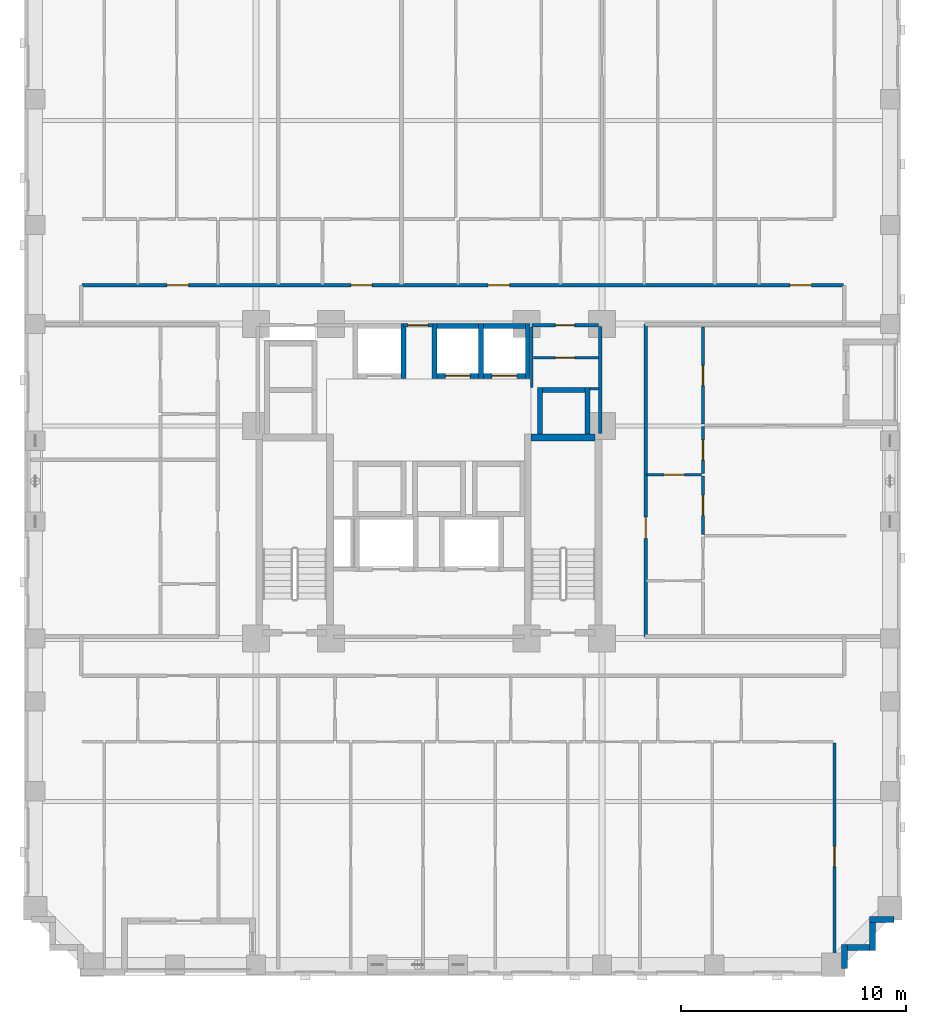
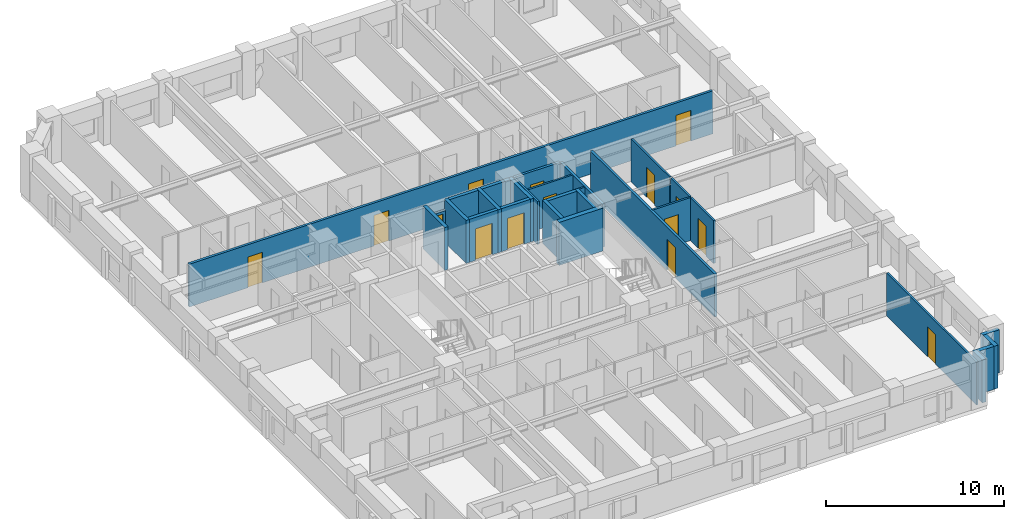
# One storey, part 6 of 14: 29 walls, 15 doors, 15 openings.
"""IFC4 building model written with IfcOpenShell, lengths in metres."""

from ifc_helpers import new_model, si_unit, derived_unit, direction, frame, frame_2d, origin, place, context, subcontext, project, spatial, rectangle, extrude, material, layer, layer_set, type_object, element, fill, save


model = new_model("IFC4")

# Units and contexts
model_context = context("Model", 3, precision=1e-05, world=origin(), true_north=direction((0.0, 1.0)))
body_context = subcontext(model_context, "Body", "Model", "MODEL_VIEW")
ifc_project = project(units=[si_unit("LENGTHUNIT", "METRE"), si_unit("AREAUNIT", "SQUARE_METRE"), si_unit("VOLUMEUNIT", "CUBIC_METRE"), si_unit("PLANEANGLEUNIT", "RADIAN"), si_unit("MASSUNIT", "GRAM", prefix="KILO"), derived_unit("THERMALTRANSMITTANCEUNIT", [(si_unit("MASSUNIT", "GRAM", prefix="KILO"), 1), (si_unit("TIMEUNIT", "SECOND"), -3), (si_unit("THERMODYNAMICTEMPERATUREUNIT", "KELVIN"), -1)])], contexts=[model_context])

# Site, building, storey
site_placement = place(None, origin())
site = spatial("IfcSite", under=ifc_project, at=site_placement, CompositionType="ELEMENT")
building_placement = place(site_placement, origin())
building = spatial("IfcBuilding", under=site, at=building_placement, Name="Korrvale Station Residences", CompositionType="ELEMENT")
storey_placement = place(building_placement, frame((0.0, 0.0, 61.0)))
storey = spatial("IfcBuildingStorey", under=building, at=storey_placement, Name="L16", CompositionType="ELEMENT", Elevation=61.0)

# Walls
ifc_material_1 = material(Name="Concrete C70/85", Category="concrete")
ifc_layer_1 = layer(ifc_material_1, 0.300048828125, Name="Concrete C70/85")
ifc_layer_set_1 = layer_set([ifc_layer_1], Name="Concrete C70/85")
wall_type_1 = type_object("IfcWallType", Name="WAL-CORE-300-C70", PredefinedType="SHEAR", material=ifc_layer_set_1)
wall_1_placement = place(storey_placement, frame((30.050048828125, 23.949951171875, 0.0), z_axis=(0.0, 0.0, 1.0), x_axis=(1.0, 0.0, 0.0)))
element("IfcWall", 1, at=wall_1_placement, inside=storey, type_object=wall_type_1, Name="L16 ST-2 Core Shear Wall North", PredefinedType="SHEAR", context=body_context, shape_type="SweptSolid", body=[
    extrude(rectangle(XDim=2.849853515625, YDim=0.300048828125, at=frame_2d((1.4248046875, 0.0))), origin(), (0.0, 0.0, 1.0), 2.93994140625),
])
ifc_material_2 = material(Name="Precast concrete C45/55", Category="concrete")
ifc_layer_2 = layer(ifc_material_2, 0.260009765625, Name="Precast concrete C45/55")
ifc_layer_set_2 = layer_set([ifc_layer_2], Name="Precast concrete C45/55")
wall_type_2 = type_object("IfcWallType", Name="WAL-EXT-LOG260", PredefinedType="SOLIDWALL", material=ifc_layer_set_2)
wall_2_placement = place(storey_placement, frame((46.197998046875, 2.5, 0.0), z_axis=(0.0, 0.0, 1.0), x_axis=(-1.0, 0.0, 0.0)))
element("IfcWall", 2, at=wall_2_placement, inside=storey, type_object=wall_type_2, Name="L16 Serrated Corner Precast Step SE-1", PredefinedType="SOLIDWALL", context=body_context, shape_type="SweptSolid", body=[
    extrude(rectangle(XDim=1.077880859375, YDim=0.260009765625, at=frame_2d((0.5390625, 0.0))), origin(), (0.0, 0.0, 1.0), 2.93994140625),
])
wall_3_placement = place(storey_placement, frame((45.25, 2.367919921875, 0.0), z_axis=(0.0, 0.0, 1.0), x_axis=(0.0, -1.0, 0.0)))
element("IfcWall", 3, at=wall_3_placement, inside=storey, type_object=wall_type_2, Name="L16 Serrated Corner Precast Step SE-2", PredefinedType="SOLIDWALL", context=body_context, shape_type="SweptSolid", body=[
    extrude(rectangle(XDim=1.247802734375, YDim=0.260009765625, at=frame_2d((0.6240234375, 0.0))), origin(), (0.0, 0.0, 1.0), 2.93994140625),
])
wall_4_placement = place(storey_placement, frame((45.117919921875, 1.25, 0.0), z_axis=(0.0, 0.0, 1.0), x_axis=(-1.0, 0.0, 0.0)))
element("IfcWall", 4, at=wall_4_placement, inside=storey, type_object=wall_type_2, Name="L16 Serrated Corner Precast Step SE-3", PredefinedType="SOLIDWALL", context=body_context, shape_type="SweptSolid", body=[
    extrude(rectangle(XDim=0.98583984375, YDim=0.260009765625, at=frame_2d((0.492919921875, 0.0))), origin(), (0.0, 0.0, 1.0), 2.93994140625),
])
wall_5_placement = place(storey_placement, frame((44.0, 1.3798828125, 0.0), z_axis=(0.0, 0.0, 1.0), x_axis=(0.0, -1.0, 0.0)))
element("IfcWall", 5, at=wall_5_placement, inside=storey, type_object=wall_type_2, Name="L16 Serrated Corner Precast Step SE-4", PredefinedType="SOLIDWALL", context=body_context, shape_type="SweptSolid", body=[
    extrude(rectangle(XDim=1.077880859375, YDim=0.260009765625, at=frame_2d((0.5390625, 0.0))), origin(), (0.0, 0.0, 1.0), 2.93994140625),
])
ifc_material_3 = material(Name="Acoustic steel-stud gypsum board partition", Category="steel")
ifc_layer_3 = layer(ifc_material_3, 0.1201171875, Name="Acoustic steel-stud gypsum board partition")
ifc_layer_set_3 = layer_set([ifc_layer_3], Name="Acoustic steel-stud gypsum board partition")
wall_type_3 = type_object("IfcWallType", Name="WAL-PART-125", PredefinedType="PARTITIONING", material=ifc_layer_set_3)
wall_6_placement = place(storey_placement, frame((30.080078125, 26.179931640625, 0.0), z_axis=(0.0, 0.0, 1.0), x_axis=(0.0, 1.0, 0.0)))
element("IfcWall", 6, at=wall_6_placement, inside=storey, type_object=wall_type_3, Name="L16 Core Partition CW-CS-W", PredefinedType="PARTITIONING", context=body_context, shape_type="SweptSolid", body=[
    extrude(rectangle(XDim=2.68017578125, YDim=0.1201171875, at=frame_2d((1.340087890625, 0.0))), origin(), (0.0, 0.0, 1.0), 2.93994140625),
])
wall_7_placement = place(storey_placement, frame((32.679931640625, 26.1201171875, 0.0), z_axis=(0.0, 0.0, 1.0), x_axis=(1.0, 0.0, 0.0)))
element("IfcWall", 7, at=wall_7_placement, inside=storey, type_object=wall_type_3, Name="L16 Core Partition CW-CS-S", PredefinedType="PARTITIONING", context=body_context, shape_type="SweptSolid", body=[
    extrude(rectangle(XDim=0.380126953125, YDim=0.1201171875, at=frame_2d((0.18994140625, 0.0))), origin(), (0.0, 0.0, 1.0), 2.93994140625),
])

# Wall, opening, door
wall_8_placement = place(storey_placement, frame((30.159912109375, 27.5, 0.0), z_axis=(0.0, 0.0, 1.0), x_axis=(1.0, 0.0, 0.0)))
wall_8 = element("IfcWall", 8, at=wall_8_placement, inside=storey, type_object=wall_type_3, Name="L16 Core Partition CW-CS-H", PredefinedType="PARTITIONING", context=body_context, shape_type="SweptSolid", body=[
    extrude(rectangle(XDim=2.880126953125, YDim=0.1201171875, at=frame_2d((1.43994140625, 0.0))), origin(), (0.0, 0.0, 1.0), 2.93994140625),
])
opening_1_placement = place(wall_8_placement, frame((0.969970703125, 0.0, 0.0)))
opening_1 = element("IfcOpeningElement", 9, at=opening_1_placement, cuts=wall_8, Name="Opening DB-860", PredefinedType="OPENING", context=body_context, shape_type="SweptSolid", body=[
    extrude(rectangle(XDim=0.860107421875, YDim=2.050048828125, at=frame_2d((0.43017578125, 1.02490234375))), frame((0.0, 0.070068359375, 0.0), z_axis=(0.0, -1.0, 0.0), x_axis=(1.0, 0.0, 0.0)), (0.0, 0.0, 1.0), 0.14013671875),
])
ifc_material_4 = material(Name="Moisture-resistant solid-core bathroom door", Category="timber")
door_type_1 = type_object("IfcDoorType", Name="DR-BATH-860", OperationType="NOTDEFINED", PredefinedType="DOOR", material=ifc_material_4)
door_1_placement = place(opening_1_placement, origin())
door_1 = element("IfcDoor", 10, at=door_1_placement, inside=storey, type_object=door_type_1, Name="L16 Mail Sorting Inner Door", OperationType="SINGLE_SWING_LEFT", OverallHeight=2.050048828125, OverallWidth=0.860107421875, PredefinedType="DOOR", context=body_context, shape_type="SweptSolid", body=[
    extrude(rectangle(XDim=0.860107421875, YDim=2.050048828125, at=frame_2d((0.43017578125, 1.02490234375))), frame((0.0, 0.02490234375, 0.0), z_axis=(0.0, -1.0, 0.0), x_axis=(1.0, 0.0, 0.0)), (0.0, 0.0, 1.0), 0.050048828125),
])
fill(opening_1, door_1)

wall_9_placement = place(storey_placement, frame((43.550048828125, 0.280029296875, 0.0), z_axis=(0.0, 0.0, 1.0), x_axis=(0.0, 1.0, 0.0)))
wall_9 = element("IfcWall", 11, at=wall_9_placement, inside=storey, type_object=wall_type_3, Name="L16 Suite Partition U02-V1314", PredefinedType="PARTITIONING", context=body_context, shape_type="SweptSolid", body=[
    extrude(rectangle(XDim=10.06005859375, YDim=0.1201171875, at=frame_2d((5.030029296875, 0.0))), origin(), (0.0, 0.0, 1.0), 2.93994140625),
])
opening_2_placement = place(wall_9_placement, frame((4.56494140625, 0.0, 0.0)))
opening_2 = element("IfcOpeningElement", 12, at=opening_2_placement, cuts=wall_9, Name="Opening DI-900", PredefinedType="OPENING", context=body_context, shape_type="SweptSolid", body=[
    extrude(rectangle(XDim=0.89990234375, YDim=2.050048828125, at=frame_2d((0.449951171875, 1.02490234375))), frame((0.0, 0.070068359375, 0.0), z_axis=(0.0, -1.0, 0.0), x_axis=(1.0, 0.0, 0.0)), (0.0, 0.0, 1.0), 0.14013671875),
])
ifc_material_5 = material(Name="Painted solid-core timber interior room door", Category="wood")
door_type_2 = type_object("IfcDoorType", Name="DR-INT-900", OperationType="NOTDEFINED", PredefinedType="DOOR", material=ifc_material_5)
door_2_placement = place(opening_2_placement, origin())
door_2 = element("IfcDoor", 13, at=door_2_placement, inside=storey, type_object=door_type_2, Name="L16 Studio Apartment L16-U02 Studio Living Room Door", OperationType="SINGLE_SWING_RIGHT", OverallHeight=2.050048828125, OverallWidth=0.89990234375, PredefinedType="DOOR", context=body_context, shape_type="SweptSolid", body=[
    extrude(rectangle(XDim=0.89990234375, YDim=2.050048828125, at=frame_2d((0.449951171875, 1.02490234375))), frame((0.0, 0.02490234375, 0.0), z_axis=(0.0, -1.0, 0.0), x_axis=(1.0, 0.0, 0.0)), (0.0, 0.0, 1.0), 0.050048828125),
])
fill(opening_2, door_2)

wall_10_placement = place(storey_placement, frame((35.18994140625, 22.2900390625, 0.0), z_axis=(0.0, 0.0, 1.0), x_axis=(1.0, 0.0, 0.0)))
wall_10 = element("IfcWall", 14, at=wall_10_placement, inside=storey, type_object=wall_type_3, Name="L16 Suite Partition U09-H02", PredefinedType="PARTITIONING", context=body_context, shape_type="SweptSolid", body=[
    extrude(rectangle(XDim=2.449951171875, YDim=0.1201171875, at=frame_2d((1.22509765625, 0.0))), origin(), (0.0, 0.0, 1.0), 2.93994140625),
])
opening_3_placement = place(wall_10_placement, frame((0.77490234375, 0.0, 0.0)))
opening_3 = element("IfcOpeningElement", 15, at=opening_3_placement, cuts=wall_10, Name="Opening DI-900", PredefinedType="OPENING", context=body_context, shape_type="SweptSolid", body=[
    extrude(rectangle(XDim=0.89990234375, YDim=2.050048828125, at=frame_2d((0.449951171875, 1.02490234375))), frame((0.0, 0.070068359375, 0.0), z_axis=(0.0, -1.0, 0.0), x_axis=(1.0, 0.0, 0.0)), (0.0, 0.0, 1.0), 0.14013671875),
])
door_3_placement = place(opening_3_placement, origin())
door_3 = element("IfcDoor", 16, at=door_3_placement, inside=storey, type_object=door_type_2, Name="L16 Apartment 2BR L16-U09 Wardrobe Storage Room Door", OperationType="SINGLE_SWING_RIGHT", OverallHeight=2.050048828125, OverallWidth=0.89990234375, PredefinedType="DOOR", context=body_context, shape_type="SweptSolid", body=[
    extrude(rectangle(XDim=0.89990234375, YDim=2.050048828125, at=frame_2d((0.449951171875, 1.02490234375))), frame((0.0, 0.02490234375, 0.0), z_axis=(0.0, -1.0, 0.0), x_axis=(1.0, 0.0, 0.0)), (0.0, 0.0, 1.0), 0.050048828125),
])
fill(opening_3, door_3)

wall_11_placement = place(storey_placement, frame((37.699951171875, 22.35009765625, 0.0), z_axis=(0.0, 0.0, 1.0), x_axis=(0.0, 1.0, 0.0)))
wall_11 = element("IfcWall", 17, at=wall_11_placement, inside=storey, type_object=wall_type_3, Name="L16 Suite Partition U09-V04", PredefinedType="PARTITIONING", context=body_context, shape_type="SweptSolid", body=[
    extrude(rectangle(XDim=2.081787109375, YDim=0.1201171875, at=frame_2d((1.041015625, 0.0))), origin(), (0.0, 0.0, 1.0), 2.93994140625),
])
opening_4_placement = place(wall_11_placement, frame((0.591064453125, 0.0, 0.0)))
opening_4 = element("IfcOpeningElement", 18, at=opening_4_placement, cuts=wall_11, Name="Opening DI-900", PredefinedType="OPENING", context=body_context, shape_type="SweptSolid", body=[
    extrude(rectangle(XDim=0.89990234375, YDim=2.050048828125, at=frame_2d((0.449951171875, 1.02490234375))), frame((0.0, 0.070068359375, 0.0), z_axis=(0.0, -1.0, 0.0), x_axis=(1.0, 0.0, 0.0)), (0.0, 0.0, 1.0), 0.14013671875),
])
door_4_placement = place(opening_4_placement, origin())
door_4 = element("IfcDoor", 19, at=door_4_placement, inside=storey, type_object=door_type_2, Name="L16 Apartment 2BR L16-U09 Wardrobe Storage Room Door", OperationType="SINGLE_SWING_LEFT", OverallHeight=2.050048828125, OverallWidth=0.89990234375, PredefinedType="DOOR", context=body_context, shape_type="SweptSolid", body=[
    extrude(rectangle(XDim=0.89990234375, YDim=2.050048828125, at=frame_2d((0.449951171875, 1.02490234375))), frame((0.0, 0.02490234375, 0.0), z_axis=(0.0, -1.0, 0.0), x_axis=(1.0, 0.0, 0.0)), (0.0, 0.0, 1.0), 0.050048828125),
])
fill(opening_4, door_4)

wall_12_placement = place(storey_placement, frame((37.699951171875, 24.552001953125, 0.0), z_axis=(0.0, 0.0, 1.0), x_axis=(0.0, 1.0, 0.0)))
wall_12 = element("IfcWall", 20, at=wall_12_placement, inside=storey, type_object=wall_type_3, Name="L16 Suite Partition U09-V05", PredefinedType="PARTITIONING", context=body_context, shape_type="SweptSolid", body=[
    extrude(rectangle(XDim=4.30810546875, YDim=0.1201171875, at=frame_2d((2.154052734375, 0.0))), origin(), (0.0, 0.0, 1.0), 2.93994140625),
])
opening_5_placement = place(wall_12_placement, frame((1.7041015625, 0.0, 0.0)))
opening_5 = element("IfcOpeningElement", 21, at=opening_5_placement, cuts=wall_12, Name="Opening DI-900", PredefinedType="OPENING", context=body_context, shape_type="SweptSolid", body=[
    extrude(rectangle(XDim=0.89990234375, YDim=2.050048828125, at=frame_2d((0.449951171875, 1.02490234375))), frame((0.0, 0.070068359375, 0.0), z_axis=(0.0, -1.0, 0.0), x_axis=(1.0, 0.0, 0.0)), (0.0, 0.0, 1.0), 0.14013671875),
])
door_5_placement = place(opening_5_placement, origin())
door_5 = element("IfcDoor", 22, at=door_5_placement, inside=storey, type_object=door_type_2, Name="L16 Apartment 2BR L16-U09 Wardrobe Storage Room Door", OperationType="SINGLE_SWING_RIGHT", OverallHeight=2.050048828125, OverallWidth=0.89990234375, PredefinedType="DOOR", context=body_context, shape_type="SweptSolid", body=[
    extrude(rectangle(XDim=0.89990234375, YDim=2.050048828125, at=frame_2d((0.449951171875, 1.02490234375))), frame((0.0, 0.02490234375, 0.0), z_axis=(0.0, -1.0, 0.0), x_axis=(1.0, 0.0, 0.0)), (0.0, 0.0, 1.0), 0.050048828125),
])
fill(opening_5, door_5)

wall_13_placement = place(storey_placement, frame((37.699951171875, 19.637939453125, 0.0), z_axis=(0.0, 0.0, 1.0), x_axis=(0.0, 1.0, 0.0)))
wall_13 = element("IfcWall", 23, at=wall_13_placement, inside=storey, type_object=wall_type_3, Name="L16 Suite Partition U09-V24", PredefinedType="PARTITIONING", context=body_context, shape_type="SweptSolid", body=[
    extrude(rectangle(XDim=2.592041015625, YDim=0.1201171875, at=frame_2d((1.2958984375, 0.0))), origin(), (0.0, 0.0, 1.0), 2.93994140625),
])
opening_6_placement = place(wall_13_placement, frame((0.845947265625, 0.0, 0.0)))
opening_6 = element("IfcOpeningElement", 24, at=opening_6_placement, cuts=wall_13, Name="Opening DI-900", PredefinedType="OPENING", context=body_context, shape_type="SweptSolid", body=[
    extrude(rectangle(XDim=0.89990234375, YDim=2.050048828125, at=frame_2d((0.449951171875, 1.02490234375))), frame((0.0, 0.070068359375, 0.0), z_axis=(0.0, -1.0, 0.0), x_axis=(1.0, 0.0, 0.0)), (0.0, 0.0, 1.0), 0.14013671875),
])
door_6_placement = place(opening_6_placement, origin())
door_6 = element("IfcDoor", 25, at=door_6_placement, inside=storey, type_object=door_type_2, Name="L16 Apartment 2BR L16-U09 Kitchen Door", OperationType="SINGLE_SWING_LEFT", OverallHeight=2.050048828125, OverallWidth=0.89990234375, PredefinedType="DOOR", context=body_context, shape_type="SweptSolid", body=[
    extrude(rectangle(XDim=0.89990234375, YDim=2.050048828125, at=frame_2d((0.449951171875, 1.02490234375))), frame((0.0, 0.02490234375, 0.0), z_axis=(0.0, -1.0, 0.0), x_axis=(1.0, 0.0, 0.0)), (0.0, 0.0, 1.0), 0.050048828125),
])
fill(opening_6, door_6)

# Wall
ifc_material_6 = material(Name="Fire-rated twin-stud gypsum and mineral wool shaftwall assembly", Category="gypsum")
ifc_layer_4 = layer(ifc_material_6, 0.159912109375, Name="Fire-rated twin-stud gypsum and mineral wool shaftwall assembly")
ifc_layer_set_4 = layer_set([ifc_layer_4], Name="Fire-rated twin-stud gypsum and mineral wool shaftwall assembly")
wall_type_4 = type_object("IfcWallType", Name="WAL-PART-200", PredefinedType="PARTITIONING", material=ifc_layer_set_4)
wall_14_placement = place(storey_placement, frame((33.1201171875, 24.1201171875, 0.0), z_axis=(0.0, 0.0, 1.0), x_axis=(0.0, 1.0, 0.0)))
element("IfcWall", 26, at=wall_14_placement, inside=storey, type_object=wall_type_4, Name="L16 Core Partition CW-E-N", PredefinedType="PARTITIONING", context=body_context, shape_type="SweptSolid", body=[
    extrude(rectangle(XDim=4.759765625, YDim=0.159912109375, at=frame_2d((2.3798828125, 0.0))), origin(), (0.0, 0.0, 1.0), 2.93994140625),
])

# Wall, opening, door
wall_15_placement = place(storey_placement, frame((24.360107421875, 28.949951171875, 0.0), z_axis=(0.0, 0.0, 1.0), x_axis=(1.0, 0.0, 0.0)))
wall_15 = element("IfcWall", 27, at=wall_15_placement, inside=storey, type_object=wall_type_4, Name="L16 Core Partition CW-LLOB-N", PredefinedType="PARTITIONING", context=body_context, shape_type="SweptSolid", body=[
    extrude(rectangle(XDim=1.31982421875, YDim=0.159912109375, at=frame_2d((0.659912109375, 0.0))), origin(), (0.0, 0.0, 1.0), 2.23193359375),
])
opening_7_placement = place(wall_15_placement, frame((0.2099609375, 0.0, 0.0)))
opening_7 = element("IfcOpeningElement", 28, at=opening_7_placement, cuts=wall_15, Name="Opening DI-900", PredefinedType="OPENING", context=body_context, shape_type="SweptSolid", body=[
    extrude(rectangle(XDim=0.89990234375, YDim=2.050048828125, at=frame_2d((0.449951171875, 1.02490234375))), frame((0.0, 0.08984375, 0.0), z_axis=(0.0, -1.0, 0.0), x_axis=(1.0, 0.0, 0.0)), (0.0, 0.0, 1.0), 0.179931640625),
])
door_7_placement = place(opening_7_placement, origin())
door_7 = element("IfcDoor", 29, at=door_7_placement, inside=storey, type_object=door_type_2, Name="L16 Central Hallway North Passage Door", OperationType="SINGLE_SWING_LEFT", OverallHeight=2.050048828125, OverallWidth=0.89990234375, PredefinedType="DOOR", context=body_context, shape_type="SweptSolid", body=[
    extrude(rectangle(XDim=0.89990234375, YDim=2.050048828125, at=frame_2d((0.449951171875, 1.02490234375))), frame((0.0, 0.02490234375, 0.0), z_axis=(0.0, -1.0, 0.0), x_axis=(1.0, 0.0, 0.0)), (0.0, 0.0, 1.0), 0.050048828125),
])
fill(opening_7, door_7)

wall_16_placement = place(storey_placement, frame((30.080078125, 28.949951171875, 0.0), z_axis=(0.0, 0.0, 1.0), x_axis=(1.0, 0.0, 0.0)))
wall_16 = element("IfcWall", 30, at=wall_16_placement, inside=storey, type_object=wall_type_4, Name="L16 Core Partition CW-CS-N", PredefinedType="PARTITIONING", context=body_context, shape_type="SweptSolid", body=[
    extrude(rectangle(XDim=2.9599609375, YDim=0.159912109375, at=frame_2d((1.47998046875, 0.0))), origin(), (0.0, 0.0, 1.0), 2.93994140625),
])
opening_8_placement = place(wall_16_placement, frame((1.044921875, 0.0, 0.0)))
opening_8 = element("IfcOpeningElement", 31, at=opening_8_placement, cuts=wall_16, Name="Opening DB-860", PredefinedType="OPENING", context=body_context, shape_type="SweptSolid", body=[
    extrude(rectangle(XDim=0.860107421875, YDim=2.050048828125, at=frame_2d((0.43017578125, 1.02490234375))), frame((0.0, 0.08984375, 0.0), z_axis=(0.0, -1.0, 0.0), x_axis=(1.0, 0.0, 0.0)), (0.0, 0.0, 1.0), 0.179931640625),
])
door_8_placement = place(opening_8_placement, origin())
door_8 = element("IfcDoor", 32, at=door_8_placement, inside=storey, type_object=door_type_1, Name="L16 Housekeeping Pantry Door", OperationType="SINGLE_SWING_RIGHT", OverallHeight=2.050048828125, OverallWidth=0.860107421875, PredefinedType="DOOR", context=body_context, shape_type="SweptSolid", body=[
    extrude(rectangle(XDim=0.860107421875, YDim=2.050048828125, at=frame_2d((0.43017578125, 1.02490234375))), frame((0.0, 0.02490234375, 0.0), z_axis=(0.0, -1.0, 0.0), x_axis=(1.0, 0.0, 0.0)), (0.0, 0.0, 1.0), 0.050048828125),
])
fill(opening_8, door_8)

# Wall, openings, doors
wall_17_placement = place(storey_placement, frame((10.050048828125, 30.719970703125, 0.0), z_axis=(0.0, 0.0, 1.0), x_axis=(1.0, 0.0, 0.0)))
wall_17 = element("IfcWall", 33, at=wall_17_placement, inside=storey, type_object=wall_type_4, Name="L16 Rated Corridor Wall N", PredefinedType="PARTITIONING", context=body_context, shape_type="SweptSolid", body=[
    extrude(rectangle(XDim=33.89990234375, YDim=0.159912109375, at=frame_2d((16.949951171875, 0.0))), origin(), (0.0, 0.0, 1.0), 2.93994140625),
])
opening_9_placement = place(wall_17_placement, frame((3.800048828125, 0.0, 0.0)))
opening_9 = element("IfcOpeningElement", 34, at=opening_9_placement, cuts=wall_17, Name="Opening UD-950", PredefinedType="OPENING", context=body_context, shape_type="SweptSolid", body=[
    extrude(rectangle(XDim=0.949951171875, YDim=2.10009765625, at=frame_2d((0.47509765625, 1.050048828125))), frame((0.0, 0.08984375, 0.0), z_axis=(0.0, -1.0, 0.0), x_axis=(1.0, 0.0, 0.0)), (0.0, 0.0, 1.0), 0.179931640625),
])
opening_10_placement = place(wall_17_placement, frame((11.97705078125, 0.0, 0.0)))
opening_10 = element("IfcOpeningElement", 35, at=opening_10_placement, cuts=wall_17, Name="Opening UD-950", PredefinedType="OPENING", context=body_context, shape_type="SweptSolid", body=[
    extrude(rectangle(XDim=0.949951171875, YDim=2.10009765625, at=frame_2d((0.47509765625, 1.050048828125))), frame((0.0, 0.08984375, 0.0), z_axis=(0.0, -1.0, 0.0), x_axis=(1.0, 0.0, 0.0)), (0.0, 0.0, 1.0), 0.179931640625),
])
opening_11_placement = place(wall_17_placement, frame((18.090087890625, 0.0, 0.0)))
opening_11 = element("IfcOpeningElement", 36, at=opening_11_placement, cuts=wall_17, Name="Opening UD-950", PredefinedType="OPENING", context=body_context, shape_type="SweptSolid", body=[
    extrude(rectangle(XDim=0.949951171875, YDim=2.10009765625, at=frame_2d((0.47509765625, 1.050048828125))), frame((0.0, 0.08984375, 0.0), z_axis=(0.0, -1.0, 0.0), x_axis=(1.0, 0.0, 0.0)), (0.0, 0.0, 1.0), 0.179931640625),
])
opening_12_placement = place(wall_17_placement, frame((31.52490234375, 0.0, 0.0)))
opening_12 = element("IfcOpeningElement", 37, at=opening_12_placement, cuts=wall_17, Name="Opening UD-950", PredefinedType="OPENING", context=body_context, shape_type="SweptSolid", body=[
    extrude(rectangle(XDim=0.949951171875, YDim=2.10009765625, at=frame_2d((0.47509765625, 1.050048828125))), frame((0.0, 0.08984375, 0.0), z_axis=(0.0, -1.0, 0.0), x_axis=(1.0, 0.0, 0.0)), (0.0, 0.0, 1.0), 0.179931640625),
])
ifc_material_7 = material(Name="Solid-core acoustic oak apartment entrance door", Category="timber")
door_type_3 = type_object("IfcDoorType", Name="DR-UNIT-950", OperationType="NOTDEFINED", PredefinedType="DOOR", material=ifc_material_7)
door_9_placement = place(opening_9_placement, origin())
door_9 = element("IfcDoor", 38, at=door_9_placement, inside=storey, type_object=door_type_3, Name="L16 Apartment L16-U03 Entrance Door", OperationType="SINGLE_SWING_RIGHT", OverallHeight=2.10009765625, OverallWidth=0.949951171875, PredefinedType="DOOR", context=body_context, shape_type="SweptSolid", body=[
    extrude(rectangle(XDim=0.949951171875, YDim=2.10009765625, at=frame_2d((0.47509765625, 1.050048828125))), frame((0.0, 0.02490234375, 0.0), z_axis=(0.0, -1.0, 0.0), x_axis=(1.0, 0.0, 0.0)), (0.0, 0.0, 1.0), 0.050048828125),
])
fill(opening_9, door_9)
door_10_placement = place(opening_10_placement, origin())
door_10 = element("IfcDoor", 39, at=door_10_placement, inside=storey, type_object=door_type_3, Name="L16 Apartment L16-U04 Entrance Door", OperationType="SINGLE_SWING_LEFT", OverallHeight=2.10009765625, OverallWidth=0.949951171875, PredefinedType="DOOR", context=body_context, shape_type="SweptSolid", body=[
    extrude(rectangle(XDim=0.949951171875, YDim=2.10009765625, at=frame_2d((0.47509765625, 1.050048828125))), frame((0.0, 0.02490234375, 0.0), z_axis=(0.0, -1.0, 0.0), x_axis=(1.0, 0.0, 0.0)), (0.0, 0.0, 1.0), 0.050048828125),
])
fill(opening_10, door_10)
door_11_placement = place(opening_11_placement, origin())
door_11 = element("IfcDoor", 40, at=door_11_placement, inside=storey, type_object=door_type_3, Name="L16 Apartment L16-U05 Entrance Door", OperationType="SINGLE_SWING_RIGHT", OverallHeight=2.10009765625, OverallWidth=0.949951171875, PredefinedType="DOOR", context=body_context, shape_type="SweptSolid", body=[
    extrude(rectangle(XDim=0.949951171875, YDim=2.10009765625, at=frame_2d((0.47509765625, 1.050048828125))), frame((0.0, 0.02490234375, 0.0), z_axis=(0.0, -1.0, 0.0), x_axis=(1.0, 0.0, 0.0)), (0.0, 0.0, 1.0), 0.050048828125),
])
fill(opening_11, door_11)
door_12_placement = place(opening_12_placement, origin())
door_12 = element("IfcDoor", 41, at=door_12_placement, inside=storey, type_object=door_type_3, Name="L16 Apartment L16-U06 Entrance Door", OperationType="SINGLE_SWING_LEFT", OverallHeight=2.10009765625, OverallWidth=0.949951171875, PredefinedType="DOOR", context=body_context, shape_type="SweptSolid", body=[
    extrude(rectangle(XDim=0.949951171875, YDim=2.10009765625, at=frame_2d((0.47509765625, 1.050048828125))), frame((0.0, 0.02490234375, 0.0), z_axis=(0.0, -1.0, 0.0), x_axis=(1.0, 0.0, 0.0)), (0.0, 0.0, 1.0), 0.050048828125),
])
fill(opening_12, door_12)

# Wall, opening, door
wall_18_placement = place(storey_placement, frame((35.14990234375, 15.070068359375, 0.0), z_axis=(0.0, 0.0, 1.0), x_axis=(0.0, 1.0, 0.0)))
wall_18 = element("IfcWall", 42, at=wall_18_placement, inside=storey, type_object=wall_type_4, Name="L16 Rated Corridor Wall E", PredefinedType="PARTITIONING", context=body_context, shape_type="SweptSolid", body=[
    extrude(rectangle(XDim=13.929931640625, YDim=0.159912109375, at=frame_2d((6.96484375, 0.0))), origin(), (0.0, 0.0, 1.0), 2.93994140625),
])
opening_13_placement = place(wall_18_placement, frame((4.385009765625, 0.0, 0.0)))
opening_13 = element("IfcOpeningElement", 43, at=opening_13_placement, cuts=wall_18, Name="Opening UD-950", PredefinedType="OPENING", context=body_context, shape_type="SweptSolid", body=[
    extrude(rectangle(XDim=0.949951171875, YDim=2.10009765625, at=frame_2d((0.47509765625, 1.050048828125))), frame((0.0, 0.08984375, 0.0), z_axis=(0.0, -1.0, 0.0), x_axis=(1.0, 0.0, 0.0)), (0.0, 0.0, 1.0), 0.179931640625),
])
door_13_placement = place(opening_13_placement, origin())
door_13 = element("IfcDoor", 44, at=door_13_placement, inside=storey, type_object=door_type_3, Name="L16 Apartment L16-U09 Entrance Door", OperationType="SINGLE_SWING_RIGHT", OverallHeight=2.10009765625, OverallWidth=0.949951171875, PredefinedType="DOOR", context=body_context, shape_type="SweptSolid", body=[
    extrude(rectangle(XDim=0.949951171875, YDim=2.10009765625, at=frame_2d((0.47509765625, 1.050048828125))), frame((0.0, 0.02490234375, 0.0), z_axis=(0.0, -1.0, 0.0), x_axis=(1.0, 0.0, 0.0)), (0.0, 0.0, 1.0), 0.050048828125),
])
fill(opening_13, door_13)

# Wall
ifc_layer_5 = layer(ifc_material_1, 0.219970703125, Name="Concrete C70/85")
ifc_layer_set_5 = layer_set([ifc_layer_5], Name="Concrete C70/85")
wall_type_5 = type_object("IfcWallType", Name="WAL-SHAFT-220-C70", PredefinedType="SHEAR", material=ifc_layer_set_5)
wall_19_placement = place(storey_placement, frame((24.360107421875, 26.580078125, 0.0), z_axis=(0.0, 0.0, 1.0), x_axis=(0.0, 1.0, 0.0)))
element("IfcWall", 45, at=wall_19_placement, inside=storey, type_object=wall_type_5, Name="L16 Elevator PL-1 Hoistway Wall East", PredefinedType="SHEAR", context=body_context, shape_type="SweptSolid", body=[
    extrude(rectangle(XDim=2.43994140625, YDim=0.219970703125, at=frame_2d((1.219970703125, 0.0))), origin(), (0.0, 0.0, 1.0), 2.93994140625),
])

# Wall, opening, door
wall_20_placement = place(storey_placement, frame((25.85009765625, 26.68994140625, 0.0), z_axis=(0.0, 0.0, 1.0), x_axis=(1.0, 0.0, 0.0)))
wall_20 = element("IfcWall", 46, at=wall_20_placement, inside=storey, type_object=wall_type_5, Name="L16 Elevator PL-2 Hoistway Wall South", PredefinedType="SHEAR", context=body_context, shape_type="SweptSolid", body=[
    extrude(rectangle(XDim=1.85986328125, YDim=0.219970703125, at=frame_2d((0.929931640625, 0.0))), origin(), (0.0, 0.0, 1.0), 2.93994140625),
])
opening_14_placement = place(wall_20_placement, frame((0.3798828125, 0.0, 0.0)))
opening_14 = element("IfcOpeningElement", 47, at=opening_14_placement, cuts=wall_20, Name="Opening LD-1100", PredefinedType="OPENING", context=body_context, shape_type="SweptSolid", body=[
    extrude(rectangle(XDim=1.10009765625, YDim=2.14990234375, at=frame_2d((0.550048828125, 1.074951171875))), frame((0.0, 0.1201171875, 0.0), z_axis=(0.0, -1.0, 0.0), x_axis=(1.0, 0.0, 0.0)), (0.0, 0.0, 1.0), 0.239990234375),
])
ifc_material_8 = material(Name="Brushed stainless-steel elevator landing sliding door", Category="steel")
door_type_4 = type_object("IfcDoorType", Name="DR-LIFT-1100", OperationType="SLIDING_TO_LEFT", PredefinedType="DOOR", material=ifc_material_8)
door_14_placement = place(opening_14_placement, origin())
door_14 = element("IfcDoor", 48, at=door_14_placement, inside=storey, type_object=door_type_4, Name="L16 Elevator PL-2 Sliding Landing Door", OperationType="SLIDING_TO_LEFT", OverallHeight=2.14990234375, OverallWidth=1.10009765625, PredefinedType="DOOR", context=body_context, shape_type="SweptSolid", body=[
    extrude(rectangle(XDim=1.10009765625, YDim=2.14990234375, at=frame_2d((0.550048828125, 1.074951171875))), frame((0.0, 0.02490234375, 0.0), z_axis=(0.0, -1.0, 0.0), x_axis=(1.0, 0.0, 0.0)), (0.0, 0.0, 1.0), 0.050048828125),
])
fill(opening_14, door_14)

# Walls
wall_21_placement = place(storey_placement, frame((25.85009765625, 28.909912109375, 0.0), z_axis=(0.0, 0.0, 1.0), x_axis=(1.0, 0.0, 0.0)))
element("IfcWall", 49, at=wall_21_placement, inside=storey, type_object=wall_type_5, Name="L16 Elevator PL-2 Hoistway Wall North", PredefinedType="SHEAR", context=body_context, shape_type="SweptSolid", body=[
    extrude(rectangle(XDim=1.85986328125, YDim=0.219970703125, at=frame_2d((0.929931640625, 0.0))), origin(), (0.0, 0.0, 1.0), 2.93994140625),
])
for number, where, z_axis, x_axis, name in (
    (50, (25.739990234375, 26.580078125, 0.0), (0.0, 0.0, 1.0), (0.0, 1.0, 0.0), "L16 Elevator PL-2 Hoistway Wall West"),
    (51, (27.820068359375, 26.580078125, 0.0), (0.0, 0.0, 1.0), (0.0, 1.0, 0.0), "L16 Elevator PL-2 Hoistway Wall East"),
):
    element("IfcWall", number, at=place(storey_placement, frame(where, z_axis=z_axis, x_axis=x_axis)), inside=storey, type_object=wall_type_5, Name=name, PredefinedType="SHEAR", context=body_context, shape_type="SweptSolid", body=[
        extrude(rectangle(XDim=2.43994140625, YDim=0.219970703125, at=frame_2d((1.219970703125, 0.0))), origin(), (0.0, 0.0, 1.0), 2.93994140625),
    ])

# Wall, opening, door
wall_22_placement = place(storey_placement, frame((27.929931640625, 26.68994140625, 0.0), z_axis=(0.0, 0.0, 1.0), x_axis=(1.0, 0.0, 0.0)))
wall_22 = element("IfcWall", 52, at=wall_22_placement, inside=storey, type_object=wall_type_5, Name="L16 Elevator PL-3 Hoistway Wall South", PredefinedType="SHEAR", context=body_context, shape_type="SweptSolid", body=[
    extrude(rectangle(XDim=1.860107421875, YDim=0.219970703125, at=frame_2d((0.93017578125, 0.0))), origin(), (0.0, 0.0, 1.0), 2.93994140625),
])
opening_15_placement = place(wall_22_placement, frame((0.3798828125, 0.0, 0.0)))
opening_15 = element("IfcOpeningElement", 53, at=opening_15_placement, cuts=wall_22, Name="Opening LD-1100", PredefinedType="OPENING", context=body_context, shape_type="SweptSolid", body=[
    extrude(rectangle(XDim=1.10009765625, YDim=2.14990234375, at=frame_2d((0.550048828125, 1.074951171875))), frame((0.0, 0.1201171875, 0.0), z_axis=(0.0, -1.0, 0.0), x_axis=(1.0, 0.0, 0.0)), (0.0, 0.0, 1.0), 0.239990234375),
])
door_15_placement = place(opening_15_placement, origin())
door_15 = element("IfcDoor", 54, at=door_15_placement, inside=storey, type_object=door_type_4, Name="L16 Elevator PL-3 Sliding Landing Door", OperationType="SLIDING_TO_LEFT", OverallHeight=2.14990234375, OverallWidth=1.10009765625, PredefinedType="DOOR", context=body_context, shape_type="SweptSolid", body=[
    extrude(rectangle(XDim=1.10009765625, YDim=2.14990234375, at=frame_2d((0.550048828125, 1.074951171875))), frame((0.0, 0.02490234375, 0.0), z_axis=(0.0, -1.0, 0.0), x_axis=(1.0, 0.0, 0.0)), (0.0, 0.0, 1.0), 0.050048828125),
])
fill(opening_15, door_15)

# Walls
wall_23_placement = place(storey_placement, frame((27.929931640625, 28.909912109375, 0.0), z_axis=(0.0, 0.0, 1.0), x_axis=(1.0, 0.0, 0.0)))
element("IfcWall", 55, at=wall_23_placement, inside=storey, type_object=wall_type_5, Name="L16 Elevator PL-3 Hoistway Wall North", PredefinedType="SHEAR", context=body_context, shape_type="SweptSolid", body=[
    extrude(rectangle(XDim=1.860107421875, YDim=0.219970703125, at=frame_2d((0.93017578125, 0.0))), origin(), (0.0, 0.0, 1.0), 2.93994140625),
])
wall_24_placement = place(storey_placement, frame((29.89990234375, 26.580078125, 0.0), z_axis=(0.0, 0.0, 1.0), x_axis=(0.0, 1.0, 0.0)))
element("IfcWall", 56, at=wall_24_placement, inside=storey, type_object=wall_type_5, Name="L16 Elevator PL-3 Hoistway Wall East", PredefinedType="SHEAR", context=body_context, shape_type="SweptSolid", body=[
    extrude(rectangle(XDim=2.43994140625, YDim=0.219970703125, at=frame_2d((1.219970703125, 0.0))), origin(), (0.0, 0.0, 1.0), 2.93994140625),
])
wall_25_placement = place(storey_placement, frame((30.550048828125, 26.06005859375, 0.0), z_axis=(0.0, 0.0, 1.0), x_axis=(1.0, 0.0, 0.0)))
element("IfcWall", 57, at=wall_25_placement, inside=storey, type_object=wall_type_5, Name="L16 Elevator PH-3 Hoistway Wall North", PredefinedType="SHEAR", context=body_context, shape_type="SweptSolid", body=[
    extrude(rectangle(XDim=1.89990234375, YDim=0.219970703125, at=frame_2d((0.949951171875, 0.0))), origin(), (0.0, 0.0, 1.0), 2.93994140625),
])
for number, where, z_axis, x_axis, name in (
    (58, (30.43994140625, 24.10009765625, 0.0), (0.0, 0.0, 1.0), (0.0, 1.0, 0.0), "L16 Elevator PH-3 Hoistway Wall West"),
    (59, (32.56005859375, 24.10009765625, 0.0), (0.0, 0.0, 1.0), (0.0, 1.0, 0.0), "L16 Elevator PH-3 Hoistway Wall East"),
):
    element("IfcWall", number, at=place(storey_placement, frame(where, z_axis=z_axis, x_axis=x_axis)), inside=storey, type_object=wall_type_5, Name=name, PredefinedType="SHEAR", context=body_context, shape_type="SweptSolid", body=[
        extrude(rectangle(XDim=2.06982421875, YDim=0.219970703125, at=frame_2d((1.034912109375, 0.0))), origin(), (0.0, 0.0, 1.0), 2.93994140625),
    ])

save(model, "model.ifc")
